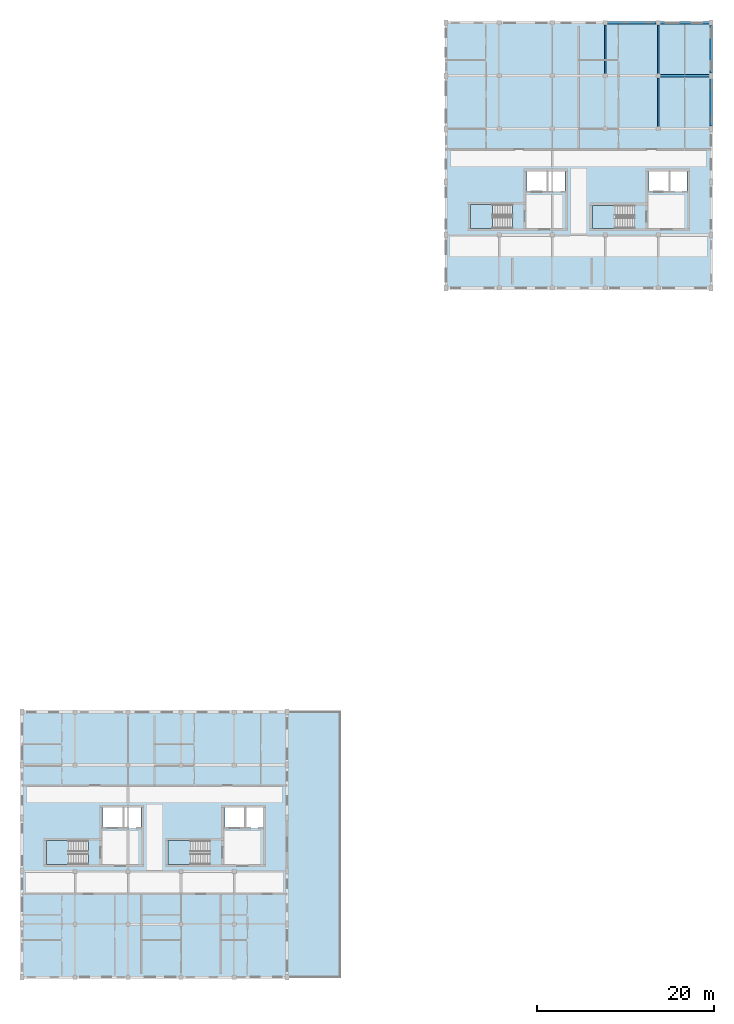
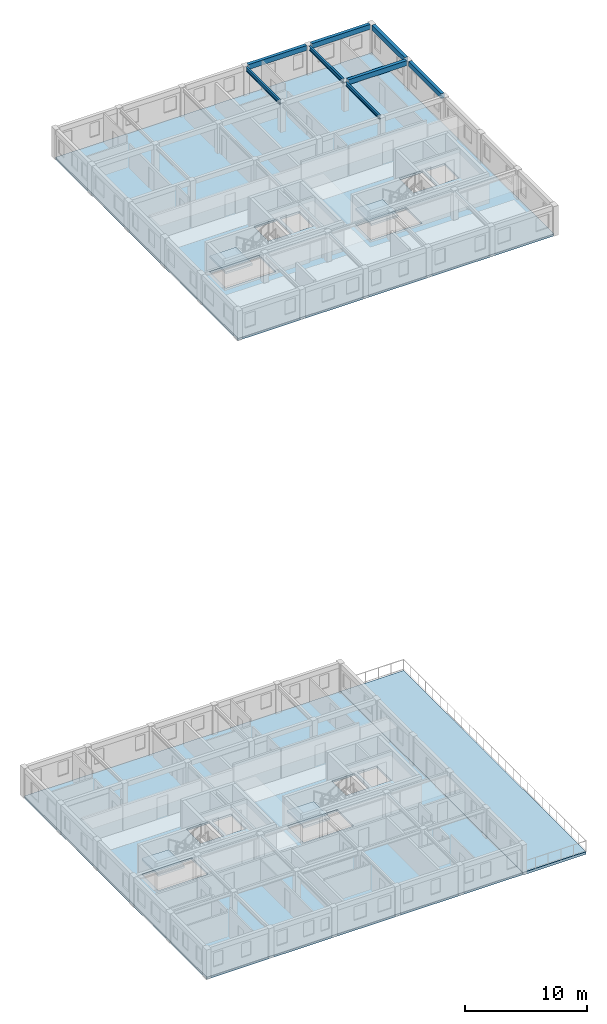
# One storey, part 2 of 13: 8 beams, 7 slabs, 4 elements without a shape of their own.
"""IFC4 building model written with IfcOpenShell, lengths in metres."""

from ifc_helpers import new_model, si_unit, direction, frame, origin, origin_2d, place, context, subcontext, project, spatial, polyline, rectangle, i_section, outline, extrude, material, layer, layer_set, material_profile, profile_set, type_object, element, aggregate, save


model = new_model("IFC4")

# Units and contexts
model_context = context("Model", 3, precision=1e-05, world=origin(), true_north=direction((0.0, 1.0)))
body_context = subcontext(model_context, "Body", "Model", "MODEL_VIEW")
ifc_project = project(units=[si_unit("LENGTHUNIT", "METRE"), si_unit("AREAUNIT", "SQUARE_METRE"), si_unit("VOLUMEUNIT", "CUBIC_METRE"), si_unit("PLANEANGLEUNIT", "RADIAN"), si_unit("MASSUNIT", "GRAM", prefix="KILO"), si_unit("POWERUNIT", "WATT"), si_unit("THERMODYNAMICTEMPERATUREUNIT", "KELVIN")], contexts=[model_context])

# Site, building, storey
site_placement = place(None, origin())
site = spatial("IfcSite", under=ifc_project, at=site_placement, CompositionType="ELEMENT")
building_placement = place(site_placement, origin())
building = spatial("IfcBuilding", under=site, at=building_placement, Name="Ruvembo Vaulted Housing Court", CompositionType="ELEMENT")
storey_placement = place(building_placement, frame((0.0, 0.0, 33.300048828125)))
storey = spatial("IfcBuildingStorey", under=building, at=storey_placement, Name="L10", CompositionType="ELEMENT", Elevation=33.300048828125)

# Beams
ifc_material_1 = material(Name="Steel S355J2", Category="steel")
ifc_material_profile_1 = material_profile(ifc_material_1, i_section(OverallWidth=0.169921875, OverallDepth=0.360107421875, WebThickness=0.008056640625, FlangeThickness=0.0126953125, FilletRadius=0.01806640625, at=origin_2d()), Name="IPE 360")
ifc_profile_set_1 = profile_set([ifc_material_profile_1], Name="Steel S355J2")
beam_type_1 = type_object("IfcBeamType", Name="BM-ST-IPE360", PredefinedType="BEAM", material=ifc_profile_set_1)
beam_1_placement = place(storey_placement, frame((72.0, 102.235107421875, 2.745849609375), z_axis=(0.0, 1.0, 0.0), x_axis=(-1.0, 0.0, 0.0)))
element("IfcBeam", 1, at=beam_1_placement, inside=storey, type_object=beam_type_1, Name="L10 Grid Beam Y #3330", PredefinedType="BEAM", context=body_context, shape_type="SweptSolid", body=[
    extrude(i_section(OverallWidth=0.169921875, OverallDepth=0.360107421875, WebThickness=0.008056640625, FlangeThickness=0.0126953125, FilletRadius=0.01806640625, at=origin_2d()), origin(), (0.0, 0.0, 1.0), 5.52978515625),
])
ifc_material_profile_2 = material_profile(ifc_material_1, i_section(OverallWidth=0.179931640625, OverallDepth=0.39990234375, WebThickness=0.008544921875, FlangeThickness=0.013427734375, FilletRadius=0.02099609375, at=origin_2d()), Name="IPE 400")
ifc_profile_set_2 = profile_set([ifc_material_profile_2], Name="Steel S355J2")
beam_type_2 = type_object("IfcBeamType", Name="BM-ST-IPE400", PredefinedType="BEAM", material=ifc_profile_set_2)
for number, where, z_axis, x_axis, name in (
    (2, (66.0, 108.235107421875, 2.725830078125), (0.0, 1.0, 0.0), (-1.0, 0.0, 0.0), "L10 Grid Beam Y #3328"),
    (3, (72.0, 108.235107421875, 2.725830078125), (0.0, 1.0, 0.0), (-1.0, 0.0, 0.0), "L10 Grid Beam Y #3331"),
):
    element("IfcBeam", number, at=place(storey_placement, frame(where, z_axis=z_axis, x_axis=x_axis)), inside=storey, type_object=beam_type_2, Name=name, PredefinedType="BEAM", context=body_context, shape_type="SweptSolid", body=[
        extrude(i_section(OverallWidth=0.179931640625, OverallDepth=0.39990234375, WebThickness=0.008544921875, FlangeThickness=0.013427734375, FilletRadius=0.02099609375, at=origin_2d()), origin(), (0.0, 0.0, 1.0), 5.52978515625),
    ])
ifc_material_2 = material(Name="Concrete C35/45", Category="concrete")
ifc_material_profile_3 = material_profile(ifc_material_2, rectangle(XDim=0.300048828125, YDim=0.5, at=origin_2d()), Name="RC 300x500")
ifc_profile_set_3 = profile_set([ifc_material_profile_3], Name="Concrete C35/45")
beam_type_3 = type_object("IfcBeamType", Name="SP-RC-300x500", PredefinedType="SPANDREL", material=ifc_profile_set_3)
beam_2_placement = place(storey_placement, frame((72.235107421875, 108.0, 2.739990234375), z_axis=(1.0, 0.0, 0.0), x_axis=(0.0, 1.0, 0.0)))
element("IfcBeam", 4, at=beam_2_placement, inside=storey, type_object=beam_type_3, Name="L10 Grid Beam X #3285", PredefinedType="SPANDREL", context=body_context, shape_type="SweptSolid", body=[
    extrude(rectangle(XDim=0.300048828125, YDim=0.5, at=origin_2d()), origin(), (0.0, 0.0, 1.0), 5.554931640625),
])
beam_3_placement = place(storey_placement, frame((66.235107421875, 114.0, 2.739990234375), z_axis=(1.0, 0.0, 0.0), x_axis=(0.0, 1.0, 0.0)))
element("IfcBeam", 5, at=beam_3_placement, inside=storey, type_object=beam_type_3, Name="L10 Grid Beam X #3289", PredefinedType="SPANDREL", context=body_context, shape_type="SweptSolid", body=[
    extrude(rectangle(XDim=0.300048828125, YDim=0.5, at=origin_2d()), origin(), (0.0, 0.0, 1.0), 5.52978515625),
])
beam_4_placement = place(storey_placement, frame((72.235107421875, 114.0, 2.739990234375), z_axis=(1.0, 0.0, 0.0), x_axis=(0.0, 1.0, 0.0)))
element("IfcBeam", 6, at=beam_4_placement, inside=storey, type_object=beam_type_3, Name="L10 Grid Beam X #3290", PredefinedType="SPANDREL", context=body_context, shape_type="SweptSolid", body=[
    extrude(rectangle(XDim=0.300048828125, YDim=0.5, at=origin_2d()), origin(), (0.0, 0.0, 1.0), 5.554931640625),
])
for number, where, z_axis, x_axis, name in (
    (7, (78.0, 102.31005859375, 2.739990234375), (0.0, 1.0, 0.0), (-1.0, 0.0, 0.0), "L10 Grid Beam Y #3335"),
    (8, (78.0, 108.31005859375, 2.739990234375), (0.0, 1.0, 0.0), (-1.0, 0.0, 0.0), "L10 Grid Beam Y #3336"),
):
    element("IfcBeam", number, at=place(storey_placement, frame(where, z_axis=z_axis, x_axis=x_axis)), inside=storey, type_object=beam_type_3, Name=name, PredefinedType="SPANDREL", context=body_context, shape_type="SweptSolid", body=[
        extrude(rectangle(XDim=0.300048828125, YDim=0.5, at=origin_2d()), origin(), (0.0, 0.0, 1.0), 5.3798828125),
    ])

# Slabs
ifc_material_3 = material(Name="Concrete C30/37", Category="concrete")
ifc_layer_1 = layer(ifc_material_3, 0.215087890625, Name="Concrete C30/37")
ifc_layer_set_1 = layer_set([ifc_layer_1], Name="Concrete C30/37")
slab_type_1 = type_object("IfcSlabType", Name="SL-FLR-215", PredefinedType="FLOOR", material=ifc_layer_set_1)
slab_1_placement = place(storey_placement, frame((0.0, 0.0, -0.215087890625)))
element("IfcSlab", 9, at=slab_1_placement, inside=storey, type_object=slab_type_1, Name="Block A L10 Structural Floor Slab", PredefinedType="FLOOR", context=body_context, shape_type="SweptSolid", body=[
    extrude(outline(polyline([(30.0, 6.0), (30.0, 36.0), (0.0, 36.0), (0.0, 6.0), (30.0, 6.0)]), holes=[polyline([(7.5, 21.449951171875), (2.75, 21.449951171875), (2.75, 18.75), (7.5, 18.75), (7.5, 21.449951171875)]), polyline([(9.14990234375, 22.85009765625), (11.35009765625, 22.85009765625), (11.35009765625, 25.25), (9.14990234375, 25.25), (9.14990234375, 22.85009765625)]), polyline([(11.60009765625, 22.85009765625), (13.449951171875, 22.85009765625), (13.449951171875, 25.25), (11.60009765625, 25.25), (11.60009765625, 22.85009765625)]), polyline([(21.300048828125, 21.449951171875), (16.550048828125, 21.449951171875), (16.550048828125, 18.75), (21.300048828125, 18.75), (21.300048828125, 21.449951171875)]), polyline([(22.949951171875, 22.85009765625), (25.14990234375, 22.85009765625), (25.14990234375, 25.25), (22.949951171875, 25.25), (22.949951171875, 22.85009765625)]), polyline([(25.39990234375, 22.85009765625), (27.25, 22.85009765625), (27.25, 25.25), (25.39990234375, 25.25), (25.39990234375, 22.85009765625)])]), origin(), (0.0, 0.0, 1.0), 0.215087890625),
])
slab_2_placement = place(storey_placement, frame((0.0, 0.0, -0.215087890625)))
element("IfcSlab", 10, at=slab_2_placement, inside=storey, type_object=slab_type_1, Name="Block B L10 Structural Floor Slab", PredefinedType="FLOOR", context=body_context, shape_type="SweptSolid", body=[
    extrude(outline(polyline([(78.0, 84.0), (78.0, 114.0), (48.0, 114.0), (48.0, 84.0), (78.0, 84.0)]), holes=[polyline([(55.5, 93.449951171875), (50.75, 93.449951171875), (50.75, 90.75), (55.5, 90.75), (55.5, 93.449951171875)]), polyline([(57.14990234375, 94.85009765625), (59.35009765625, 94.85009765625), (59.35009765625, 97.25), (57.14990234375, 97.25), (57.14990234375, 94.85009765625)]), polyline([(59.60009765625, 94.85009765625), (61.449951171875, 94.85009765625), (61.449951171875, 97.25), (59.60009765625, 97.25), (59.60009765625, 94.85009765625)]), polyline([(69.35009765625, 93.35009765625), (64.550048828125, 93.35009765625), (64.550048828125, 90.75), (69.35009765625, 90.75), (69.35009765625, 93.35009765625)]), polyline([(70.949951171875, 94.85009765625), (73.14990234375, 94.85009765625), (73.14990234375, 97.25), (70.949951171875, 97.25), (70.949951171875, 94.85009765625)]), polyline([(73.39990234375, 94.85009765625), (75.25, 94.85009765625), (75.25, 97.25), (73.39990234375, 97.25), (73.39990234375, 94.85009765625)])]), origin(), (0.0, 0.0, 1.0), 0.215087890625),
])

# Stair, slab
stair_type_1 = type_object("IfcStairType", Name="STR-CORE-1250", PredefinedType="HALF_TURN_STAIR", material=ifc_material_2)
stair_1_placement = place(storey_placement, origin())
stair_1 = element("IfcStair", 11, at=stair_1_placement, inside=storey, type_object=stair_type_1, Name="L10 Protected Exit Stair ST-A1", PredefinedType="HALF_TURN_STAIR")
ifc_layer_2 = layer(ifc_material_3, 0.201904296875, Name="Concrete C30/37")
ifc_layer_set_2 = layer_set([ifc_layer_2], Name="Concrete C30/37")
slab_type_2 = type_object("IfcSlabType", Name="SL-LAND-202", PredefinedType="LANDING", material=ifc_layer_set_2)
slab_3_placement = place(storey_placement, frame((0.0, 0.0, 1.39990234375)))
slab_3 = element("IfcSlab", 12, at=slab_3_placement, type_object=slab_type_2, Name="ST-A1 landing 1", PredefinedType="LANDING", context=body_context, shape_type="SweptSolid", body=[
    extrude(outline(polyline([(5.260009765625, 21.449951171875), (2.75, 21.449951171875), (2.75, 18.75), (5.260009765625, 18.75), (5.260009765625, 21.449951171875)])), origin(), (0.0, 0.0, 1.0), 0.199951171875),
])
aggregate(stair_1, [slab_3])

stair_2_placement = place(storey_placement, origin())
stair_2 = element("IfcStair", 13, at=stair_2_placement, inside=storey, type_object=stair_type_1, Name="L10 Protected Exit Stair ST-A2", PredefinedType="HALF_TURN_STAIR")
slab_4_placement = place(storey_placement, frame((0.0, 0.0, 1.39990234375)))
slab_4 = element("IfcSlab", 14, at=slab_4_placement, type_object=slab_type_2, Name="ST-A2 landing 1", PredefinedType="LANDING", context=body_context, shape_type="SweptSolid", body=[
    extrude(outline(polyline([(19.06005859375, 21.449951171875), (16.550048828125, 21.449951171875), (16.550048828125, 18.75), (19.06005859375, 18.75), (19.06005859375, 21.449951171875)])), origin(), (0.0, 0.0, 1.0), 0.199951171875),
])
aggregate(stair_2, [slab_4])

stair_3_placement = place(storey_placement, origin())
stair_3 = element("IfcStair", 15, at=stair_3_placement, inside=storey, type_object=stair_type_1, Name="L10 Protected Exit Stair ST-B1", PredefinedType="HALF_TURN_STAIR")
slab_5_placement = place(storey_placement, frame((0.0, 0.0, 1.39990234375)))
slab_5 = element("IfcSlab", 16, at=slab_5_placement, type_object=slab_type_2, Name="ST-B1 landing 1", PredefinedType="LANDING", context=body_context, shape_type="SweptSolid", body=[
    extrude(outline(polyline([(53.260009765625, 93.449951171875), (50.75, 93.449951171875), (50.75, 90.75), (53.260009765625, 90.75), (53.260009765625, 93.449951171875)])), origin(), (0.0, 0.0, 1.0), 0.199951171875),
])
aggregate(stair_3, [slab_5])

stair_type_2 = type_object("IfcStairType", Name="STR-CORE-1200", PredefinedType="HALF_TURN_STAIR", material=ifc_material_2)
stair_4_placement = place(storey_placement, origin())
stair_4 = element("IfcStair", 17, at=stair_4_placement, inside=storey, type_object=stair_type_2, Name="L10 Protected Exit Stair ST-B2", PredefinedType="HALF_TURN_STAIR")
slab_6_placement = place(storey_placement, frame((0.0, 0.0, 1.39990234375)))
slab_6 = element("IfcSlab", 18, at=slab_6_placement, type_object=slab_type_2, Name="ST-B2 landing 1", PredefinedType="LANDING", context=body_context, shape_type="SweptSolid", body=[
    extrude(outline(polyline([(67.110107421875, 93.35009765625), (64.550048828125, 93.35009765625), (64.550048828125, 90.75), (67.110107421875, 90.75), (67.110107421875, 93.35009765625)])), origin(), (0.0, 0.0, 1.0), 0.199951171875),
])
aggregate(stair_4, [slab_6])

# Slab
ifc_layer_3 = layer(ifc_material_3, 0.264892578125, Name="Concrete C30/37")
ifc_layer_set_3 = layer_set([ifc_layer_3], Name="Concrete C30/37")
slab_type_3 = type_object("IfcSlabType", Name="SL-TER-265", PredefinedType="FLOOR", material=ifc_layer_set_3)
slab_7_placement = place(storey_placement, frame((0.0, 0.0, -0.26513671875)))
element("IfcSlab", 19, at=slab_7_placement, inside=storey, type_object=slab_type_3, Name="Block A L10 Planted Roof Garden Slab", PredefinedType="FLOOR", context=body_context, shape_type="SweptSolid", body=[
    extrude(outline(polyline([(30.0, 6.0), (36.0, 6.0), (36.0, 36.0), (30.0, 36.0), (30.0, 6.0)])), origin(), (0.0, 0.0, 1.0), 0.26513671875),
])

save(model, "model.ifc")
